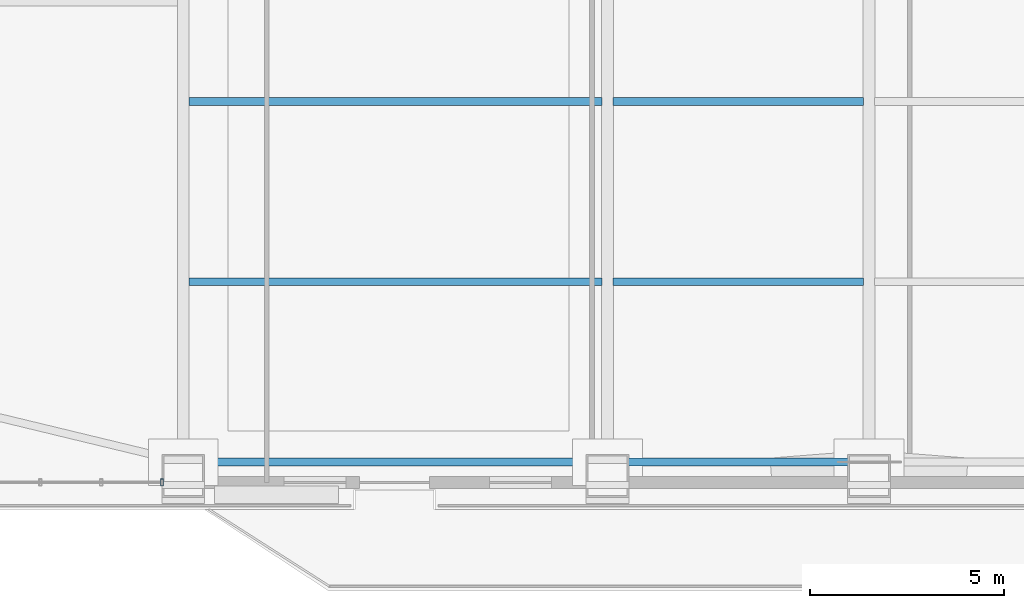
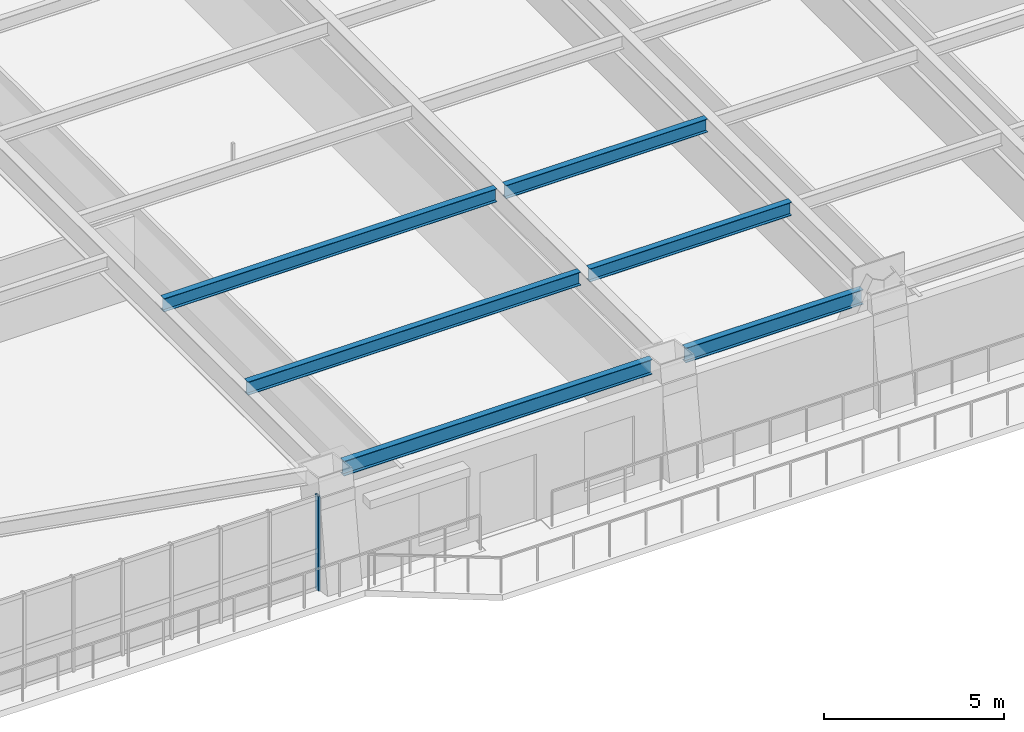
# One storey, part 4 of 17: 6 beams, 1 member, 1 element without a shape of its own.
"""IFC4 building model written with IfcOpenShell, lengths in metres."""

from ifc_helpers import new_model, si_unit, direction, frame, origin, origin_2d, place, context, subcontext, project, spatial, hollow_rectangle, i_section, extrude, source, transform, mapped, material, layer, layer_set, material_profile, profile_set, type_object, element, aggregate, save


model = new_model("IFC4")

# Units and contexts
model_context = context("Model", 3, precision=1e-05, world=origin(), true_north=direction((0.0, 1.0)))
body_context = subcontext(model_context, "Body", "Model", "MODEL_VIEW")
ifc_project = project(units=[si_unit("LENGTHUNIT", "METRE"), si_unit("AREAUNIT", "SQUARE_METRE"), si_unit("VOLUMEUNIT", "CUBIC_METRE"), si_unit("PLANEANGLEUNIT", "RADIAN"), si_unit("MASSUNIT", "GRAM", prefix="KILO")], contexts=[model_context])

# Site, building, storey
site_placement = place(None, origin())
site = spatial("IfcSite", under=ifc_project, at=site_placement, CompositionType="ELEMENT")
building_placement = place(site_placement, origin())
building = spatial("IfcBuilding", under=site, at=building_placement, Name="Giltprow Tower", CompositionType="ELEMENT")
storey_placement = place(building_placement, frame((0.0, 0.0, 57.199951171875)))
storey = spatial("IfcBuildingStorey", under=building, at=storey_placement, Name="L14", CompositionType="ELEMENT", Elevation=57.199951171875)

# Beams
ifc_material_1 = material(Name="Structural steel Q355B", Category="steel")
ifc_material_profile_1 = material_profile(ifc_material_1, i_section(OverallWidth=0.199951171875, OverallDepth=0.5, WebThickness=0.010009765625, FlangeThickness=0.01611328125, at=origin_2d()), Name="HN 500x200x10x16")
ifc_profile_set_1 = profile_set([ifc_material_profile_1], Name="Structural steel Q355B")
beam_type_1 = type_object("IfcBeamType", Name="BM-SPAN-HN500", PredefinedType="SPANDREL", material=ifc_profile_set_1)
shared_shape_1 = source(origin(), body_context, "Body", "SweptSolid", [
    extrude(i_section(OverallWidth=0.199951171875, OverallDepth=0.5, WebThickness=0.010009765625, FlangeThickness=0.01611328125, at=origin_2d()), origin(), (0.0, 0.0, 1.0), 9.8798828125),
])
beam_1_placement = place(storey_placement, frame((20.385009765625, 4.882080078125, 3.429931640625), z_axis=(1.0, 0.0, 0.0), x_axis=(0.0, 1.0, 0.0)))
element("IfcBeam", 1, at=beam_1_placement, inside=storey, type_object=beam_type_1, Name="L14 Perimeter Spandrel Beam S1-S2", PredefinedType="SPANDREL", context=body_context, shape_type="MappedRepresentation", body=[
    mapped(shared_shape_1, transform((0.0, 0.0, 0.0), x_axis=(1.0, 0.0, 0.0), y_axis=(0.0, 1.0, 0.0), z_axis=(0.0, 0.0, 1.0), scale=1.0)),
])
shared_shape_2 = source(origin(), body_context, "Body", "SweptSolid", [
    extrude(i_section(OverallWidth=0.199951171875, OverallDepth=0.5, WebThickness=0.010009765625, FlangeThickness=0.01611328125, at=origin_2d()), origin(), (0.0, 0.0, 1.0), 5.679931640625),
])
beam_2_placement = place(storey_placement, frame((31.3349609375, 4.882080078125, 3.429931640625), z_axis=(1.0, 0.0, 0.0), x_axis=(0.0, 1.0, 0.0)))
element("IfcBeam", 2, at=beam_2_placement, inside=storey, type_object=beam_type_1, Name="L14 Perimeter Spandrel Beam S2-S_MID", PredefinedType="SPANDREL", context=body_context, shape_type="MappedRepresentation", body=[
    mapped(shared_shape_2, transform((0.0, 0.0, 0.0), x_axis=(1.0, 0.0, 0.0), y_axis=(0.0, 1.0, 0.0), z_axis=(0.0, 0.0, 1.0), scale=1.0)),
])
ifc_material_profile_2 = material_profile(ifc_material_1, i_section(OverallWidth=0.199951171875, OverallDepth=0.449951171875, WebThickness=0.009033203125, FlangeThickness=0.013916015625, at=origin_2d()), Name="HN 450x200x9x14")
ifc_profile_set_2 = profile_set([ifc_material_profile_2], Name="Structural steel Q355B")
beam_type_2 = type_object("IfcBeamType", Name="BM-JOIST-HN450", PredefinedType="JOIST", material=ifc_profile_set_2)
shared_shape_3 = source(origin(), body_context, "Body", "SweptSolid", [
    extrude(i_section(OverallWidth=0.199951171875, OverallDepth=0.449951171875, WebThickness=0.009033203125, FlangeThickness=0.013916015625, at=origin_2d()), origin(), (0.0, 0.0, 1.0), 10.659912109375),
])
for number, where, z_axis, x_axis, name in (
    (3, (19.9951171875, 9.534912109375, 3.455078125), (1.0, 0.0, 0.0), (0.0, 1.0, 0.0), "L14 Composite Floor Joist 1-1"),
    (4, (19.9951171875, 14.18701171875, 3.455078125), (1.0, 0.0, 0.0), (0.0, 1.0, 0.0), "L14 Composite Floor Joist 2-1"),
):
    element("IfcBeam", number, at=place(storey_placement, frame(where, z_axis=z_axis, x_axis=x_axis)), inside=storey, type_object=beam_type_2, Name=name, PredefinedType="JOIST", context=body_context, shape_type="MappedRepresentation", body=[
        mapped(shared_shape_3, transform((0.0, 0.0, 0.0), x_axis=(1.0, 0.0, 0.0), y_axis=(0.0, 1.0, 0.0), z_axis=(0.0, 0.0, 1.0), scale=1.0)),
    ])
shared_shape_4 = source(origin(), body_context, "Body", "SweptSolid", [
    extrude(i_section(OverallWidth=0.199951171875, OverallDepth=0.449951171875, WebThickness=0.009033203125, FlangeThickness=0.013916015625, at=origin_2d()), origin(), (0.0, 0.0, 1.0), 6.4599609375),
])
for number, where, z_axis, x_axis, name in (
    (5, (30.945068359375, 9.534912109375, 3.455078125), (1.0, 0.0, 0.0), (0.0, 1.0, 0.0), "L14 Composite Floor Joist 1-2"),
    (6, (30.945068359375, 14.18701171875, 3.455078125), (1.0, 0.0, 0.0), (0.0, 1.0, 0.0), "L14 Composite Floor Joist 2-2"),
):
    element("IfcBeam", number, at=place(storey_placement, frame(where, z_axis=z_axis, x_axis=x_axis)), inside=storey, type_object=beam_type_2, Name=name, PredefinedType="JOIST", context=body_context, shape_type="MappedRepresentation", body=[
        mapped(shared_shape_4, transform((0.0, 0.0, 0.0), x_axis=(1.0, 0.0, 0.0), y_axis=(0.0, 1.0, 0.0), z_axis=(0.0, 0.0, 1.0), scale=1.0)),
    ])

# Curtain wall, member
ifc_material_2 = material(Name="Anodized bronze", Category="metal")
ifc_layer = layer(ifc_material_2, 0.179931640625, Name="Anodized bronze")
ifc_layer_set = layer_set([ifc_layer], Name="Anodized bronze")
curtain_wall_type = type_object("IfcCurtainWallType", Name="CW-OFF-RECESSED", PredefinedType="NOTDEFINED", material=ifc_layer_set)
curtain_wall_placement = place(storey_placement, origin())
curtain_wall = element("IfcCurtainWall", 7, at=curtain_wall_placement, inside=storey, type_object=curtain_wall_type, Name="L14 South Recessed Curtain Wall 1", PredefinedType="NOTDEFINED")
ifc_material_profile_3 = material_profile(ifc_material_2, hollow_rectangle(XDim=0.074951171875, YDim=0.179931640625, WallThickness=0.008056640625, at=origin_2d()), Name="RHS 180x75x8")
ifc_profile_set_3 = profile_set([ifc_material_profile_3], Name="Anodized bronze")
member_type = type_object("IfcMemberType", Name="CW-MULLION-180x75", PredefinedType="MULLION", material=ifc_profile_set_3)
shared_shape_5 = source(origin(), body_context, "Body", "SweptSolid", [
    extrude(hollow_rectangle(XDim=0.074951171875, YDim=0.179931640625, WallThickness=0.008056640625, at=origin_2d()), origin(), (0.0, 0.0, 1.0), 3.215087890625),
])
member_placement = place(storey_placement, frame((19.300048828125, 4.35400390625, -0.02001953125), z_axis=(0.0, 0.0, 1.0), x_axis=(1.0, 0.0, 0.0)))
member = element("IfcMember", 8, at=member_placement, type_object=member_type, Name="L14 South Recessed Curtain Wall 1 Mullion 9", PredefinedType="MULLION", context=body_context, shape_type="MappedRepresentation", body=[
    mapped(shared_shape_5, transform((0.0, 0.0, 0.0), x_axis=(1.0, 0.0, 0.0), y_axis=(0.0, 1.0, 0.0), z_axis=(0.0, 0.0, 1.0), scale=1.0)),
])
aggregate(curtain_wall, [member])

save(model, "model.ifc")
